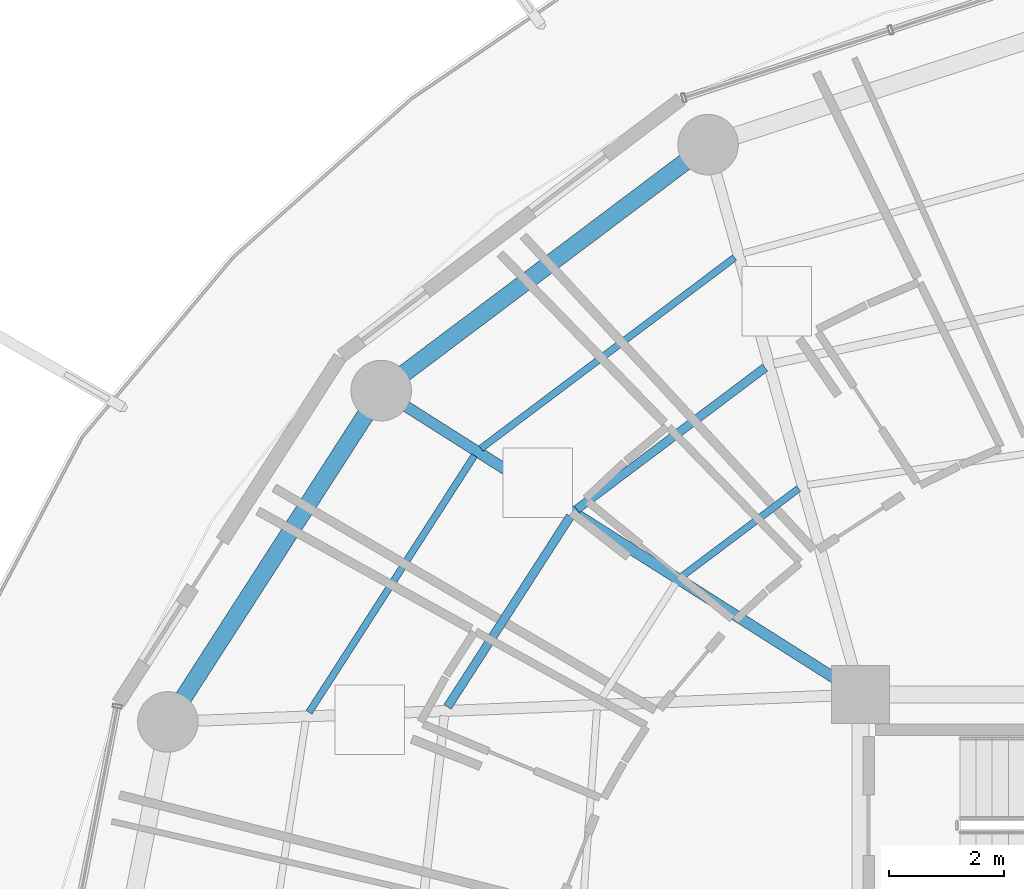
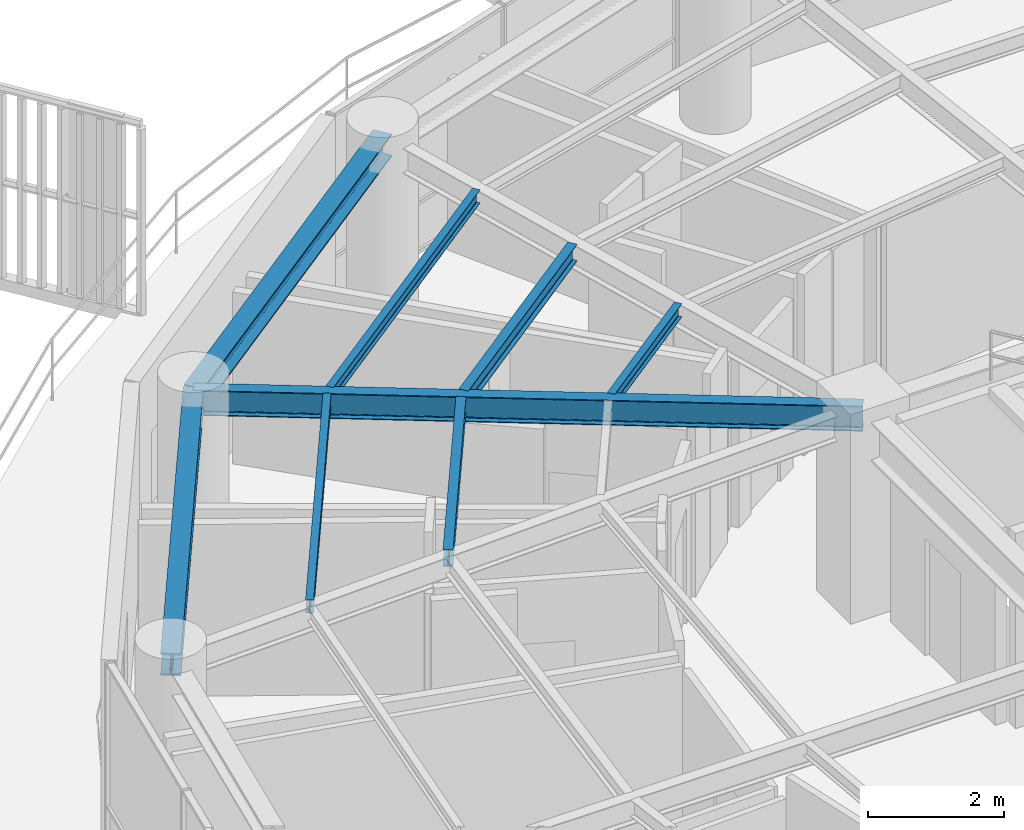
# One storey, part 17 of 31: 8 beams.
"""IFC4 building model written with IfcOpenShell, lengths in metres."""

from ifc_helpers import new_model, si_unit, direction, frame, origin, origin_2d, place, context, subcontext, project, spatial, i_section, extrude, material, material_profile, profile_set, type_object, element, save


model = new_model("IFC4")

# Units and contexts
model_context = context("Model", 3, precision=1e-05, world=origin(), true_north=direction((0.0, 1.0)))
body_context = subcontext(model_context, "Body", "Model", "MODEL_VIEW")
ifc_project = project(units=[si_unit("LENGTHUNIT", "METRE"), si_unit("AREAUNIT", "SQUARE_METRE"), si_unit("VOLUMEUNIT", "CUBIC_METRE"), si_unit("PLANEANGLEUNIT", "RADIAN"), si_unit("MASSUNIT", "GRAM", prefix="KILO")], contexts=[model_context])

# Site, building, storey
site_placement = place(None, origin())
site = spatial("IfcSite", under=ifc_project, at=site_placement, CompositionType="ELEMENT")
building_placement = place(site_placement, origin())
building = spatial("IfcBuilding", under=site, at=building_placement, Name="Kelanora Arch Commons", CompositionType="ELEMENT")
storey_placement = place(building_placement, frame((0.0, 0.0, 226.949951171875)))
storey = spatial("IfcBuildingStorey", under=building, at=storey_placement, Name="L58", CompositionType="ELEMENT", Elevation=226.949951171875)

# Beams
ifc_material = material(Name="Steel S355", Category="steel")
ifc_material_profile_1 = material_profile(ifc_material, i_section(OverallWidth=0.14990234375, OverallDepth=0.300048828125, WebThickness=0.007080078125, FlangeThickness=0.0107421875, FilletRadius=0.014892578125, at=origin_2d()), Name="IPE300")
ifc_profile_set_1 = profile_set([ifc_material_profile_1], Name="Steel S355")
beam_type_1 = type_object("IfcBeamType", Name="BM-JST-01", PredefinedType="JOIST", material=ifc_profile_set_1)
beam_1_placement = place(storey_placement, frame((64.34814453125, 70.6630859375, 3.340087890625), z_axis=(-0.799101708656, -0.601195857624, 0.0), x_axis=(0.601195857624, -0.799101708656, 0.0)))
element("IfcBeam", 1, at=beam_1_placement, inside=storey, type_object=beam_type_1, Name="Secondary Chord Joist BJB-12 L58", PredefinedType="JOIST", context=body_context, shape_type="SweptSolid", body=[
    extrude(i_section(OverallWidth=0.14990234375, OverallDepth=0.300048828125, WebThickness=0.007080078125, FlangeThickness=0.0107421875, FilletRadius=0.014892578125, at=origin_2d()), origin(), (0.0, 0.0, 1.0), 4.080810546875),
])
beam_2_placement = place(storey_placement, frame((60.97314453125, 68.087158203125, 3.340087890625), z_axis=(-0.541411265892, -0.840757896879, 0.0), x_axis=(0.840757896879, -0.541411265892, 0.0)))
element("IfcBeam", 2, at=beam_2_placement, inside=storey, type_object=beam_type_1, Name="Secondary Chord Joist BJB-14 L58", PredefinedType="JOIST", context=body_context, shape_type="SweptSolid", body=[
    extrude(i_section(OverallWidth=0.14990234375, OverallDepth=0.300048828125, WebThickness=0.007080078125, FlangeThickness=0.0107421875, FilletRadius=0.014892578125, at=origin_2d()), origin(), (0.0, 0.0, 1.0), 3.92529296875),
])
ifc_material_profile_2 = material_profile(ifc_material, i_section(OverallWidth=0.1201171875, OverallDepth=0.239990234375, WebThickness=0.006103515625, FlangeThickness=0.009765625, FilletRadius=0.014892578125, at=origin_2d()), Name="IPE240")
ifc_profile_set_2 = profile_set([ifc_material_profile_2], Name="Steel S355")
beam_type_2 = type_object("IfcBeamType", Name="BM-JST-02", PredefinedType="JOIST", material=ifc_profile_set_2)
beam_3_placement = place(storey_placement, frame((64.928955078125, 68.56787109375, 3.3701171875), z_axis=(-0.79911638933, -0.601176343766, 0.0), x_axis=(0.601176343766, -0.79911638933, 0.0)))
element("IfcBeam", 3, at=beam_3_placement, inside=storey, type_object=beam_type_2, Name="Secondary Chord Joist BJA-12 L58", PredefinedType="JOIST", context=body_context, shape_type="SweptSolid", body=[
    extrude(i_section(OverallWidth=0.1201171875, OverallDepth=0.239990234375, WebThickness=0.006103515625, FlangeThickness=0.009765625, FilletRadius=0.014892578125, at=origin_2d()), origin(), (0.0, 0.0, 1.0), 2.522216796875),
])
beam_4_placement = place(storey_placement, frame((63.820068359375, 72.56787109375, 3.3701171875), z_axis=(-0.799109197935, -0.601185902842, 0.0), x_axis=(0.601185902842, -0.799109197935, 0.0)))
element("IfcBeam", 4, at=beam_4_placement, inside=storey, type_object=beam_type_2, Name="Secondary Chord Joist BJC-12 L58", PredefinedType="JOIST", context=body_context, shape_type="SweptSolid", body=[
    extrude(i_section(OverallWidth=0.1201171875, OverallDepth=0.239990234375, WebThickness=0.006103515625, FlangeThickness=0.009765625, FilletRadius=0.014892578125, at=origin_2d()), origin(), (0.0, 0.0, 1.0), 5.497802734375),
])
beam_5_placement = place(storey_placement, frame((59.31298828125, 69.14013671875, 3.3701171875), z_axis=(-0.541382492679, -0.840776424872, 0.0), x_axis=(0.840776424872, -0.541382492679, 0.0)))
element("IfcBeam", 5, at=beam_5_placement, inside=storey, type_object=beam_type_2, Name="Secondary Chord Joist BJC-14 L58", PredefinedType="JOIST", context=body_context, shape_type="SweptSolid", body=[
    extrude(i_section(OverallWidth=0.1201171875, OverallDepth=0.239990234375, WebThickness=0.006103515625, FlangeThickness=0.009765625, FilletRadius=0.014892578125, at=origin_2d()), origin(), (0.0, 0.0, 1.0), 5.29052734375),
])
ifc_material_profile_3 = material_profile(ifc_material, i_section(OverallWidth=0.18994140625, OverallDepth=0.449951171875, WebThickness=0.009521484375, FlangeThickness=0.0146484375, FilletRadius=0.02099609375, at=origin_2d()), Name="IPE450")
ifc_profile_set_3 = profile_set([ifc_material_profile_3], Name="Steel S355")
beam_type_3 = type_object("IfcBeamType", Name="BM-RAD-Z4", PredefinedType="BEAM", material=ifc_profile_set_3)
beam_6_placement = place(storey_placement, frame((66.0, 65.0, 3.26513671875), z_axis=(-0.844507208607, 0.535544185489, 0.0), x_axis=(-0.535544185489, -0.844507208607, 0.0)))
element("IfcBeam", 6, at=beam_6_placement, inside=storey, type_object=beam_type_3, Name="Radial Floor Girder BR-14 L58", PredefinedType="BEAM", context=body_context, shape_type="SweptSolid", body=[
    extrude(i_section(OverallWidth=0.18994140625, OverallDepth=0.449951171875, WebThickness=0.009521484375, FlangeThickness=0.0146484375, FilletRadius=0.02099609375, at=origin_2d()), origin(), (0.0, 0.0, 1.0), 9.830078125),
])
ifc_material_profile_4 = material_profile(ifc_material, i_section(OverallWidth=0.300048828125, OverallDepth=0.39990234375, WebThickness=0.013427734375, FlangeThickness=0.02392578125, FilletRadius=0.027099609375, at=origin_2d()), Name="HEB400")
ifc_profile_set_4 = profile_set([ifc_material_profile_4], Name="Steel S355")
beam_type_4 = type_object("IfcBeamType", Name="BM-SPN-Z4", PredefinedType="SPANDREL", material=ifc_profile_set_4)
beam_7_placement = place(storey_placement, frame((63.360107421875, 74.523681640625, 3.2900390625), z_axis=(-0.799114211715, -0.60117923836, 0.0), x_axis=(0.60117923836, -0.799114211715, 0.0)))
element("IfcBeam", 7, at=beam_7_placement, inside=storey, type_object=beam_type_4, Name="Perimeter Spandrel Beam BS-12 L58", PredefinedType="SPANDREL", context=body_context, shape_type="SweptSolid", body=[
    extrude(i_section(OverallWidth=0.300048828125, OverallDepth=0.39990234375, WebThickness=0.013427734375, FlangeThickness=0.02392578125, FilletRadius=0.027099609375, at=origin_2d()), origin(), (0.0, 0.0, 1.0), 7.0849609375),
])
beam_8_placement = place(storey_placement, frame((57.698486328125, 70.264404296875, 3.2900390625), z_axis=(-0.541364878868, -0.840787766281, 0.0), x_axis=(0.840787766281, -0.541364878868, 0.0)))
element("IfcBeam", 8, at=beam_8_placement, inside=storey, type_object=beam_type_4, Name="Perimeter Spandrel Beam BS-14 L58", PredefinedType="SPANDREL", context=body_context, shape_type="SweptSolid", body=[
    extrude(i_section(OverallWidth=0.300048828125, OverallDepth=0.39990234375, WebThickness=0.013427734375, FlangeThickness=0.02392578125, FilletRadius=0.027099609375, at=origin_2d()), origin(), (0.0, 0.0, 1.0), 6.825439453125),
])

save(model, "model.ifc")
